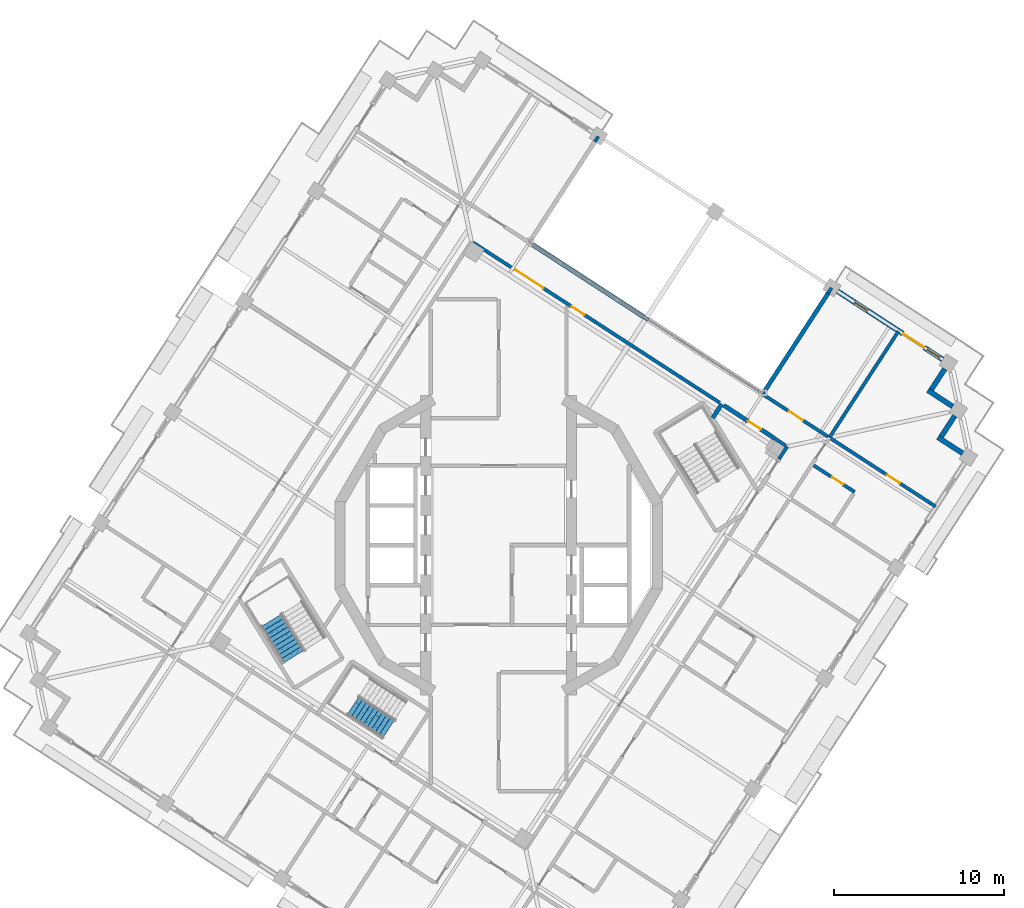
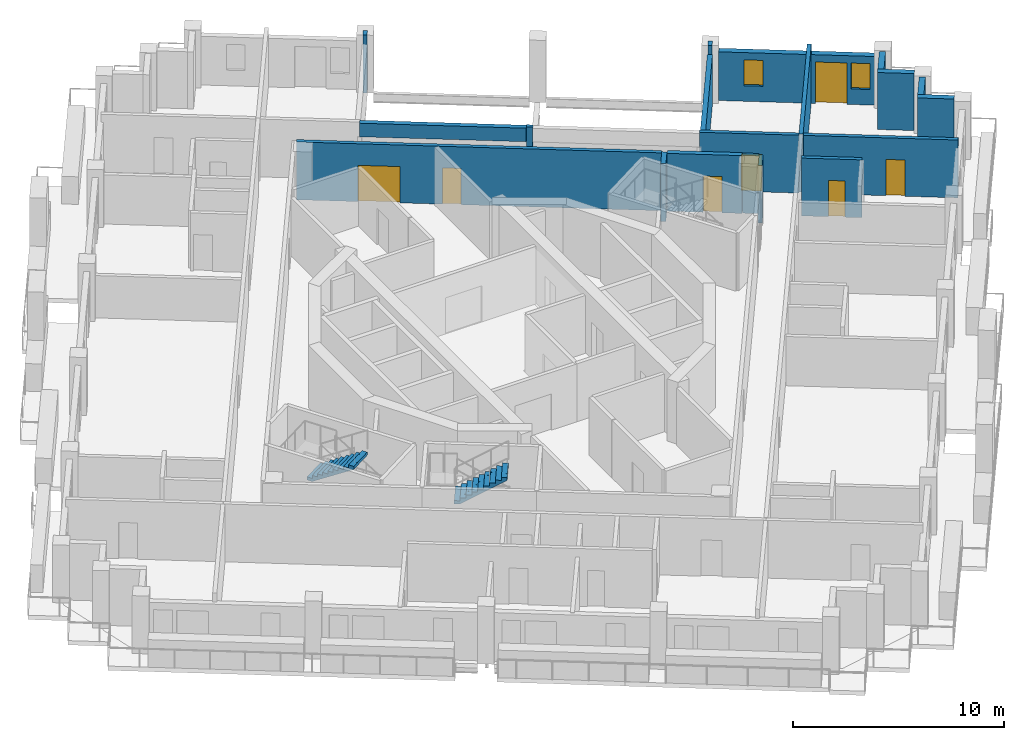
# One storey, part 11 of 17: 19 walls, 7 doors, 2 stair flights, 2 windows, 9 openings, 2 elements without a shape of their own.
"""IFC4 building model written with IfcOpenShell, lengths in metres."""

from ifc_helpers import new_model, si_unit, direction, frame, frame_2d, origin, place, context, subcontext, project, spatial, polyline, rectangle, outline, extrude, material, layer, layer_set, type_object, element, fill, aggregate, save


model = new_model("IFC4")

# Units and contexts
model_context = context("Model", 3, precision=1e-05, world=origin(), true_north=direction((0.0, 1.0)))
body_context = subcontext(model_context, "Body", "Model", "MODEL_VIEW")
ifc_project = project(units=[si_unit("LENGTHUNIT", "METRE"), si_unit("AREAUNIT", "SQUARE_METRE"), si_unit("VOLUMEUNIT", "CUBIC_METRE"), si_unit("PLANEANGLEUNIT", "RADIAN"), si_unit("MASSUNIT", "GRAM", prefix="KILO")], contexts=[model_context])

# Site, building, storey
site_placement = place(None, origin())
site = spatial("IfcSite", under=ifc_project, at=site_placement, CompositionType="ELEMENT")
building_placement = place(site_placement, origin())
building = spatial("IfcBuilding", under=site, at=building_placement, Name="Cantera Rosa Tower", CompositionType="ELEMENT")
storey_placement = place(building_placement, frame((0.0, 0.0, 275.699951171875)))
storey = spatial("IfcBuildingStorey", under=building, at=storey_placement, Name="L62", CompositionType="ELEMENT", Elevation=275.699951171875)

# Wall, openings, doors
ifc_material_1 = material(Name="Gypsum board partition")
ifc_layer_1 = layer(ifc_material_1, 0.199951171875)
ifc_layer_set_1 = layer_set([ifc_layer_1], Name="CORRIDOR WALL 200 H3350")
wall_type_1 = type_object("IfcWallType", Name="CORRIDOR WALL 200 H3350", PredefinedType="PARTITIONING", material=ifc_layer_set_1)
wall_1_placement = place(storey_placement, frame((13.04052734375, 8.4033203125, 0.0), z_axis=(0.0, 0.0, 1.0), x_axis=(-0.838668077111, 0.544642870545, 0.0)))
wall_1 = element("IfcWall", 1, at=wall_1_placement, inside=storey, type_object=wall_type_1, Name="CORRIDOR WALL L62-089", PredefinedType="PARTITIONING", context=body_context, shape_type="SweptSolid", body=[
    extrude(rectangle(XDim=17.340087890625, YDim=0.199951171875, at=frame_2d((8.669921875, 0.0))), origin(), (0.0, 0.0, 1.0), 3.35009765625),
])
opening_1_placement = place(wall_1_placement, frame((9.5107421875, 0.0, 0.0)))
opening_1 = element("IfcOpeningElement", 2, at=opening_1_placement, cuts=wall_1, Name="Opening L62-007", PredefinedType="OPENING", context=body_context, shape_type="SweptSolid", body=[
    extrude(rectangle(XDim=0.89990234375, YDim=2.10009765625, at=frame_2d((0.449951171875, 1.050048828125))), frame((0.0, 0.10986328125, 0.0), z_axis=(0.0, -1.0, 0.0), x_axis=(1.0, 0.0, 0.0)), (0.0, 0.0, 1.0), 0.219970703125),
])
opening_2_placement = place(wall_1_placement, frame((12.409912109375, 0.0, 0.0)))
opening_2 = element("IfcOpeningElement", 3, at=opening_2_placement, cuts=wall_1, Name="Opening L62-008", PredefinedType="OPENING", context=body_context, shape_type="SweptSolid", body=[
    extrude(rectangle(XDim=2.0, YDim=2.10009765625, at=frame_2d((1.0, 1.050048828125))), frame((0.0, 0.10986328125, 0.0), z_axis=(0.0, -1.0, 0.0), x_axis=(1.0, 0.0, 0.0)), (0.0, 0.0, 1.0), 0.219970703125),
])
ifc_material_2 = material(Name="Steel S355J2 (EN 10025-2)", Category="steel")
door_type_1 = type_object("IfcDoorType", Name="LOBBY SCREEN DOOR 2000x2100", OperationType="NOTDEFINED", PredefinedType="DOOR", material=ifc_material_2)
door_1_placement = place(opening_2_placement, origin())
door_1 = element("IfcDoor", 4, at=door_1_placement, inside=storey, type_object=door_type_1, Name="DOOR L62-008", OperationType="NOTDEFINED", OverallHeight=2.10009765625, OverallWidth=2.0, PredefinedType="DOOR", context=body_context, shape_type="SweptSolid", body=[
    extrude(rectangle(XDim=2.0, YDim=2.10009765625, at=frame_2d((1.0, 1.050048828125))), frame((0.0, 0.02490234375, 0.0), z_axis=(0.0, -1.0, 0.0), x_axis=(1.0, 0.0, 0.0)), (0.0, 0.0, 1.0), 0.050048828125),
])
fill(opening_2, door_1)
ifc_material_3 = material(Name="Timber door leaf", Category="wood")
door_type_2 = type_object("IfcDoorType", Name="SERVICE DOOR 900x2100", OperationType="NOTDEFINED", PredefinedType="DOOR", material=ifc_material_3)
door_2_placement = place(opening_1_placement, origin())
door_2 = element("IfcDoor", 5, at=door_2_placement, inside=storey, type_object=door_type_2, Name="DOOR L62-007", OperationType="NOTDEFINED", OverallHeight=2.10009765625, OverallWidth=0.89990234375, PredefinedType="DOOR", context=body_context, shape_type="SweptSolid", body=[
    extrude(rectangle(XDim=0.89990234375, YDim=2.10009765625, at=frame_2d((0.449951171875, 1.050048828125))), frame((0.0, 0.02490234375, 0.0), z_axis=(0.0, -1.0, 0.0), x_axis=(1.0, 0.0, 0.0)), (0.0, 0.0, 1.0), 0.050048828125),
])
fill(opening_1, door_2)

# Walls
wall_2_placement = place(storey_placement, frame((16.53662109375, 5.083740234375, 0.0), z_axis=(0.0, 0.0, 1.0), x_axis=(0.544607977269, 0.838690736264, 0.0)))
element("IfcWall", 6, at=wall_2_placement, inside=storey, type_object=wall_type_1, Name="CORRIDOR WALL L62-099", PredefinedType="PARTITIONING", context=body_context, shape_type="SweptSolid", body=[
    extrude(rectangle(XDim=0.8798828125, YDim=0.199951171875, at=frame_2d((0.43994140625, 0.0))), origin(), (0.0, 0.0, 1.0), 3.35009765625),
])
wall_3_placement = place(storey_placement, frame((16.931884765625, 5.876220703125, 0.0), z_axis=(0.0, 0.0, 1.0), x_axis=(-0.838636669764, 0.544691230082, 0.0)))
element("IfcWall", 7, at=wall_3_placement, inside=storey, type_object=wall_type_1, Name="CORRIDOR WALL L62-100", PredefinedType="PARTITIONING", context=body_context, shape_type="SweptSolid", body=[
    extrude(rectangle(XDim=0.77978515625, YDim=0.199951171875, at=frame_2d((0.389892578125, 0.0))), origin(), (0.0, 0.0, 1.0), 3.35009765625),
])

# Wall, opening, door
wall_4_placement = place(storey_placement, frame((19.422119140625, 6.405517578125, 0.0), z_axis=(0.0, 0.0, 1.0), x_axis=(-0.838698511903, 0.544596002677, 0.0)))
wall_4 = element("IfcWall", 8, at=wall_4_placement, inside=storey, type_object=wall_type_1, Name="CORRIDOR WALL L62-103", PredefinedType="PARTITIONING", context=body_context, shape_type="SweptSolid", body=[
    extrude(rectangle(XDim=4.72509765625, YDim=0.199951171875, at=frame_2d((2.362548828125, 0.0))), origin(), (0.0, 0.0, 1.0), 3.35009765625),
])
opening_3_placement = place(wall_4_placement, frame((1.75, 0.0, 0.0)))
opening_3 = element("IfcOpeningElement", 9, at=opening_3_placement, cuts=wall_4, Name="Opening L62-020", PredefinedType="OPENING", context=body_context, shape_type="SweptSolid", body=[
    extrude(rectangle(XDim=1.0, YDim=2.10009765625, at=frame_2d((0.5, 1.050048828125))), frame((0.0, 0.10986328125, 0.0), z_axis=(0.0, -1.0, 0.0), x_axis=(1.0, 0.0, 0.0)), (0.0, 0.0, 1.0), 0.219970703125),
])
ifc_material_4 = material(Name="Timber door leaf", Category="wood")
door_type_3 = type_object("IfcDoorType", Name="ROOM DOOR 1000x2100", OperationType="NOTDEFINED", PredefinedType="DOOR", material=ifc_material_4)
door_3_placement = place(opening_3_placement, origin())
door_3 = element("IfcDoor", 10, at=door_3_placement, inside=storey, type_object=door_type_3, Name="DOOR L62-020", OperationType="NOTDEFINED", OverallHeight=2.10009765625, OverallWidth=1.0, PredefinedType="DOOR", context=body_context, shape_type="SweptSolid", body=[
    extrude(rectangle(XDim=1.0, YDim=2.10009765625, at=frame_2d((0.5, 1.050048828125))), frame((0.0, 0.02490234375, 0.0), z_axis=(0.0, -1.0, 0.0), x_axis=(1.0, 0.0, 0.0)), (0.0, 0.0, 1.0), 0.050048828125),
])
fill(opening_3, door_3)

# Walls
wall_5_placement = place(storey_placement, frame((8.815673828125, 13.293212890625, 0.0), z_axis=(0.0, 0.0, 1.0), x_axis=(-0.838479965168, 0.54493242518, 0.0)))
element("IfcWall", 11, at=wall_5_placement, inside=storey, type_object=wall_type_1, Name="CORRIDOR WALL L62-104", PredefinedType="PARTITIONING", context=body_context, shape_type="SweptSolid", body=[
    extrude(rectangle(XDim=0.306884765625, YDim=0.199951171875, at=frame_2d((0.1533203125, 0.0))), origin(), (0.0, 0.0, 1.0), 3.35009765625),
])
ifc_material_5 = material(Name="Hollow clay masonry with cantera stone cladding", Category="masonry")
ifc_layer_2 = layer(ifc_material_5, 0.300048828125)
ifc_layer_set_2 = layer_set([ifc_layer_2], Name="EW-LOGGIA 300")
wall_type_2 = type_object("IfcWallType", Name="EW-LOGGIA 300", PredefinedType="SOLIDWALL", material=ifc_layer_set_2)
wall_6_placement = place(storey_placement, frame((27.36669921875, 5.41943359375, 0.0), z_axis=(0.0, 0.0, 1.0), x_axis=(-0.838685761837, 0.54461563776, 0.0)))
element("IfcWall", 12, at=wall_6_placement, inside=storey, type_object=wall_type_2, Name="EN-L62-W25a", PredefinedType="SOLIDWALL", context=body_context, shape_type="SweptSolid", body=[
    extrude(rectangle(XDim=1.75, YDim=0.300048828125, at=frame_2d((0.875, 0.0))), origin(), (0.0, 0.0, 1.0), 3.300048828125),
])
wall_7_placement = place(storey_placement, frame((26.1064453125, 6.41650390625, 0.0), z_axis=(0.0, 0.0, 1.0), x_axis=(0.54467465438, 0.838647435384, 0.0)))
element("IfcWall", 13, at=wall_7_placement, inside=storey, type_object=wall_type_2, Name="EN-L62-W25b", PredefinedType="SOLIDWALL", context=body_context, shape_type="SweptSolid", body=[
    extrude(rectangle(XDim=1.449951171875, YDim=0.300048828125, at=frame_2d((0.72509765625, 0.0))), origin(), (0.0, 0.0, 1.0), 3.300048828125),
])
wall_8_placement = place(storey_placement, frame((26.778564453125, 8.18603515625, 0.0), z_axis=(0.0, 0.0, 1.0), x_axis=(-0.838685761837, 0.54461563776, 0.0)))
element("IfcWall", 14, at=wall_8_placement, inside=storey, type_object=wall_type_2, Name="EN-L62-W26a", PredefinedType="SOLIDWALL", context=body_context, shape_type="SweptSolid", body=[
    extrude(rectangle(XDim=1.75, YDim=0.300048828125, at=frame_2d((0.875, 0.0))), origin(), (0.0, 0.0, 1.0), 3.300048828125),
])
wall_9_placement = place(storey_placement, frame((25.518310546875, 9.18310546875, 0.0), z_axis=(0.0, 0.0, 1.0), x_axis=(0.54467465438, 0.838647435384, 0.0)))
element("IfcWall", 15, at=wall_9_placement, inside=storey, type_object=wall_type_2, Name="EN-L62-W26b", PredefinedType="SOLIDWALL", context=body_context, shape_type="SweptSolid", body=[
    extrude(rectangle(XDim=1.449951171875, YDim=0.300048828125, at=frame_2d((0.72509765625, 0.0))), origin(), (0.0, 0.0, 1.0), 3.300048828125),
])

# Wall, openings, windows, door
ifc_material_6 = material(Name="Hollow clay masonry with cantera stone cladding", Category="masonry")
ifc_layer_3 = layer(ifc_material_6, 0.300048828125)
ifc_layer_set_3 = layer_set([ifc_layer_3], Name="EW-LOGGIA 300 H2820")
wall_type_3 = type_object("IfcWallType", Name="EW-LOGGIA 300 H2820", PredefinedType="SOLIDWALL", material=ifc_layer_set_3)
wall_10_placement = place(storey_placement, frame((26.1904296875, 10.95263671875, 0.0), z_axis=(0.0, 0.0, 1.0), x_axis=(-0.838669679097, 0.544640403719, 0.0)))
wall_10 = element("IfcWall", 16, at=wall_10_placement, inside=storey, type_object=wall_type_3, Name="EN-L62-W01", PredefinedType="SOLIDWALL", context=body_context, shape_type="SweptSolid", body=[
    extrude(rectangle(XDim=7.39990234375, YDim=0.300048828125, at=frame_2d((3.699951171875, 0.0))), origin(), (0.0, 0.0, 1.0), 2.820068359375),
])
opening_4_placement = place(wall_10_placement, frame((0.199951171875, 0.0, 0.89990234375)))
opening_4 = element("IfcOpeningElement", 17, at=opening_4_placement, cuts=wall_10, Name="Opening L62-W01", PredefinedType="OPENING", context=body_context, shape_type="SweptSolid", body=[
    extrude(rectangle(XDim=0.89990234375, YDim=1.5, at=frame_2d((0.449951171875, 0.75))), frame((0.0, 0.159912109375, 0.0), z_axis=(0.0, -1.0, 0.0), x_axis=(1.0, 0.0, 0.0)), (0.0, 0.0, 1.0), 0.320068359375),
])
opening_5_placement = place(wall_10_placement, frame((1.300048828125, 0.0, 0.0)))
opening_5 = element("IfcOpeningElement", 18, at=opening_5_placement, cuts=wall_10, Name="Opening L62-TD02", PredefinedType="OPENING", context=body_context, shape_type="SweptSolid", body=[
    extrude(rectangle(XDim=1.5, YDim=2.39990234375, at=frame_2d((0.75, 1.199951171875))), frame((0.0, 0.159912109375, 0.0), z_axis=(0.0, -1.0, 0.0), x_axis=(1.0, 0.0, 0.0)), (0.0, 0.0, 1.0), 0.320068359375),
])
opening_6_placement = place(wall_10_placement, frame((5.300048828125, 0.0, 0.89990234375)))
opening_6 = element("IfcOpeningElement", 19, at=opening_6_placement, cuts=wall_10, Name="Opening L62-W03", PredefinedType="OPENING", context=body_context, shape_type="SweptSolid", body=[
    extrude(rectangle(XDim=0.89990234375, YDim=1.5, at=frame_2d((0.449951171875, 0.75))), frame((0.0, 0.159912109375, 0.0), z_axis=(0.0, -1.0, 0.0), x_axis=(1.0, 0.0, 0.0)), (0.0, 0.0, 1.0), 0.320068359375),
])
ifc_material_7 = material(Name="Aluminium frame with clear glass", Category="aluminium")
window_type = type_object("IfcWindowType", Name="Residential window 900x1500", PartitioningType="SINGLE_PANEL", PredefinedType="WINDOW", material=ifc_material_7)
window_1_placement = place(opening_4_placement, origin())
window_1 = element("IfcWindow", 20, at=window_1_placement, inside=storey, type_object=window_type, Name="WINDOW L62-W01", OverallHeight=1.5, OverallWidth=0.89990234375, PartitioningType="SINGLE_PANEL", PredefinedType="WINDOW", context=body_context, shape_type="SweptSolid", body=[
    extrude(rectangle(XDim=0.89990234375, YDim=1.5, at=frame_2d((0.449951171875, 0.75))), frame((0.0, 0.030029296875, 0.0), z_axis=(0.0, -1.0, 0.0), x_axis=(1.0, 0.0, 0.0)), (0.0, 0.0, 1.0), 0.06005859375),
])
fill(opening_4, window_1)
window_2_placement = place(opening_6_placement, origin())
window_2 = element("IfcWindow", 21, at=window_2_placement, inside=storey, type_object=window_type, Name="WINDOW L62-W03", OverallHeight=1.5, OverallWidth=0.89990234375, PartitioningType="SINGLE_PANEL", PredefinedType="WINDOW", context=body_context, shape_type="SweptSolid", body=[
    extrude(rectangle(XDim=0.89990234375, YDim=1.5, at=frame_2d((0.449951171875, 0.75))), frame((0.0, 0.030029296875, 0.0), z_axis=(0.0, -1.0, 0.0), x_axis=(1.0, 0.0, 0.0)), (0.0, 0.0, 1.0), 0.06005859375),
])
fill(opening_6, window_2)
ifc_material_8 = material(Name="Aluminium frame with clear glass", Category="aluminium")
door_type_4 = type_object("IfcDoorType", Name="TD-R 1500x2400", OperationType="NOTDEFINED", PredefinedType="DOOR", material=ifc_material_8)
door_4_placement = place(opening_5_placement, origin())
door_4 = element("IfcDoor", 22, at=door_4_placement, inside=storey, type_object=door_type_4, Name="LOGGIA DOOR L62-TD02", OperationType="SLIDING_TO_LEFT", OverallHeight=2.39990234375, OverallWidth=1.5, PredefinedType="DOOR", context=body_context, shape_type="SweptSolid", body=[
    extrude(rectangle(XDim=1.5, YDim=2.39990234375, at=frame_2d((0.75, 1.199951171875))), frame((0.0, 0.02490234375, 0.0), z_axis=(0.0, -1.0, 0.0), x_axis=(1.0, 0.0, 0.0)), (0.0, 0.0, 1.0), 0.050048828125),
])
fill(opening_5, door_4)

# Walls
ifc_material_9 = material(Name="Concrete C40/50", Category="concrete")
ifc_layer_4 = layer(ifc_material_9, 0.25)
ifc_layer_set_4 = layer_set([ifc_layer_4], Name="EW-POCKET CHEEK 250 H2820")
wall_type_4 = type_object("IfcWallType", Name="EW-POCKET CHEEK 250 H2820", PredefinedType="SOLIDWALL", material=ifc_layer_set_4)
wall_11_placement = place(storey_placement, frame((19.430908203125, 14.865234375, 0.0), z_axis=(0.0, 0.0, 1.0), x_axis=(-0.544622966657, -0.83868100264, 0.0)))
element("IfcWall", 23, at=wall_11_placement, inside=storey, type_object=wall_type_4, Name="POCKET CHEEK A L62", PredefinedType="SOLIDWALL", context=body_context, shape_type="SweptSolid", body=[
    extrude(rectangle(XDim=6.999755859375, YDim=0.25, at=frame_2d((3.5, 0.0))), origin(), (0.0, 0.0, 1.0), 2.820068359375),
])
ifc_material_10 = material(Name="Hollow clay masonry with cantera stone cladding", Category="masonry")
ifc_layer_5 = layer(ifc_material_10, 0.25)
ifc_layer_set_5 = layer_set([ifc_layer_5], Name="EW-POCKET REAR 250")
wall_type_5 = type_object("IfcWallType", Name="EW-POCKET REAR 250", PredefinedType="SOLIDWALL", material=ifc_layer_set_5)
wall_12_placement = place(storey_placement, frame((8.558349609375, 13.46044921875, 2.51611328125), z_axis=(0.0, 0.0, 1.0), x_axis=(-0.838680132669, 0.54462430635, 0.0)))
element("IfcWall", 24, at=wall_12_placement, inside=storey, type_object=wall_type_5, Name="POCKET SPANDREL L62-2", PredefinedType="SOLIDWALL", context=body_context, shape_type="SweptSolid", body=[
    extrude(rectangle(XDim=7.92138671875, YDim=0.25, at=frame_2d((3.960693359375, 0.0))), origin(), (0.0, 0.0, 1.0), 0.783935546875),
])
ifc_material_11 = material(Name="Gypsum board partition")
ifc_layer_6 = layer(ifc_material_11, 0.199951171875)
ifc_layer_set_6 = layer_set([ifc_layer_6], Name="PARTITION 200 H3350")
wall_type_6 = type_object("IfcWallType", Name="PARTITION 200 H3350", PredefinedType="PARTITIONING", material=ifc_layer_set_6)
for number, where, z_axis, x_axis, name in (
    (25, (5.87841796875, 24.107666015625, 0.0), (0.0, 0.0, 1.0), (-0.544918783731, -0.838488830657, 0.0), "PARTITION L62-075"),
    (26, (19.430908203125, 14.865234375, 0.0), (0.0, 0.0, 1.0), (0.544918783731, 0.838488830657, 0.0), "PARTITION L62-095"),
):
    element("IfcWall", number, at=place(storey_placement, frame(where, z_axis=z_axis, x_axis=x_axis)), inside=storey, type_object=wall_type_6, Name=name, PredefinedType="PARTITIONING", context=body_context, shape_type="SweptSolid", body=[
        extrude(rectangle(XDim=0.3701171875, YDim=0.199951171875, at=frame_2d((0.18505859375, 0.0))), origin(), (0.0, 0.0, 1.0), 3.35009765625),
    ])

# Wall, opening, door
wall_13_placement = place(storey_placement, frame((18.58251953125, 4.708984375, 0.0), z_axis=(0.0, 0.0, 1.0), x_axis=(0.838654665308, -0.544663522147, 0.0)))
wall_13 = element("IfcWall", 27, at=wall_13_placement, inside=storey, type_object=wall_type_6, Name="PARTITION L62-102", PredefinedType="PARTITIONING", context=body_context, shape_type="SweptSolid", body=[
    extrude(rectangle(XDim=2.8798828125, YDim=0.199951171875, at=frame_2d((1.43994140625, 0.0))), origin(), (0.0, 0.0, 1.0), 3.35009765625),
])
opening_7_placement = place(wall_13_placement, frame((1.280029296875, 0.0, 0.0)))
opening_7 = element("IfcOpeningElement", 28, at=opening_7_placement, cuts=wall_13, Name="Opening L62-049", PredefinedType="OPENING", context=body_context, shape_type="SweptSolid", body=[
    extrude(rectangle(XDim=0.800048828125, YDim=2.10009765625, at=frame_2d((0.39990234375, 1.050048828125))), frame((0.0, 0.10986328125, 0.0), z_axis=(0.0, -1.0, 0.0), x_axis=(1.0, 0.0, 0.0)), (0.0, 0.0, 1.0), 0.219970703125),
])
ifc_material_12 = material(Name="Timber door leaf", Category="wood")
door_type_5 = type_object("IfcDoorType", Name="BATHROOM DOOR 800x2100", OperationType="NOTDEFINED", PredefinedType="DOOR", material=ifc_material_12)
door_5_placement = place(opening_7_placement, origin())
door_5 = element("IfcDoor", 29, at=door_5_placement, inside=storey, type_object=door_type_5, Name="DOOR L62-049", OperationType="NOTDEFINED", OverallHeight=2.10009765625, OverallWidth=0.800048828125, PredefinedType="DOOR", context=body_context, shape_type="SweptSolid", body=[
    extrude(rectangle(XDim=0.800048828125, YDim=2.10009765625, at=frame_2d((0.39990234375, 1.050048828125))), frame((0.0, 0.02490234375, 0.0), z_axis=(0.0, -1.0, 0.0), x_axis=(1.0, 0.0, 0.0)), (0.0, 0.0, 1.0), 0.050048828125),
])
fill(opening_7, door_5)

wall_14_placement = place(storey_placement, frame((25.770751953125, 2.282470703125, 0.0), z_axis=(0.0, 0.0, 1.0), x_axis=(-0.838668934217, 0.544641550729, 0.0)))
wall_14 = element("IfcWall", 30, at=wall_14_placement, inside=storey, type_object=wall_type_6, Name="PARTITION L62-108", PredefinedType="PARTITIONING", context=body_context, shape_type="SweptSolid", body=[
    extrude(rectangle(XDim=7.35009765625, YDim=0.199951171875, at=frame_2d((3.675048828125, 0.0))), origin(), (0.0, 0.0, 1.0), 3.35009765625),
])
opening_8_placement = place(wall_14_placement, frame((2.52001953125, 0.0, 0.0)))
opening_8 = element("IfcOpeningElement", 31, at=opening_8_placement, cuts=wall_14, Name="Opening L62-050", PredefinedType="OPENING", context=body_context, shape_type="SweptSolid", body=[
    extrude(rectangle(XDim=0.89990234375, YDim=2.10009765625, at=frame_2d((0.449951171875, 1.050048828125))), frame((0.0, 0.10986328125, 0.0), z_axis=(0.0, -1.0, 0.0), x_axis=(1.0, 0.0, 0.0)), (0.0, 0.0, 1.0), 0.219970703125),
])
ifc_material_13 = material(Name="Timber door leaf", Category="wood")
door_type_6 = type_object("IfcDoorType", Name="ROOM DOOR 900x2100", OperationType="NOTDEFINED", PredefinedType="DOOR", material=ifc_material_13)
door_6_placement = place(opening_8_placement, origin())
door_6 = element("IfcDoor", 32, at=door_6_placement, inside=storey, type_object=door_type_6, Name="DOOR L62-050", OperationType="NOTDEFINED", OverallHeight=2.10009765625, OverallWidth=0.89990234375, PredefinedType="DOOR", context=body_context, shape_type="SweptSolid", body=[
    extrude(rectangle(XDim=0.89990234375, YDim=2.10009765625, at=frame_2d((0.449951171875, 1.050048828125))), frame((0.0, 0.02490234375, 0.0), z_axis=(0.0, -1.0, 0.0), x_axis=(1.0, 0.0, 0.0)), (0.0, 0.0, 1.0), 0.050048828125),
])
fill(opening_8, door_6)

# Walls
ifc_material_14 = material(Name="Gypsum board partition")
ifc_layer_7 = layer(ifc_material_14, 0.199951171875)
ifc_layer_set_7 = layer_set([ifc_layer_7], Name="PARTY WALL 200 H3350")
wall_type_7 = type_object("IfcWallType", Name="PARTY WALL 200 H3350", PredefinedType="PARTITIONING", material=ifc_layer_set_7)
wall_15_placement = place(storey_placement, frame((23.57421875, 12.61572265625, 0.0), z_axis=(0.0, 0.0, 1.0), x_axis=(-0.544643659397, -0.838667564818, 0.0)))
element("IfcWall", 33, at=wall_15_placement, inside=storey, type_object=wall_type_7, Name="PARTY WALL L62-107", PredefinedType="PARTITIONING", context=body_context, shape_type="SweptSolid", body=[
    extrude(rectangle(XDim=7.4697265625, YDim=0.199951171875, at=frame_2d((3.73486328125, 0.0))), origin(), (0.0, 0.0, 1.0), 3.35009765625),
])
ifc_material_15 = material(Name="Masonry blockwork", Category="masonry")
ifc_layer_8 = layer(ifc_material_15, 0.25)
ifc_layer_set_8 = layer_set([ifc_layer_8], Name="SHAFT WALL 250 H3350")
wall_type_8 = type_object("IfcWallType", Name="SHAFT WALL 250 H3350", PredefinedType="SOLIDWALL", material=ifc_layer_set_8)
wall_16_placement = place(storey_placement, frame((12.62353515625, 7.50390625, 0.0), z_axis=(0.0, 0.0, 1.0), x_axis=(0.544612261158, 0.838687954484, 0.0)))
element("IfcWall", 34, at=wall_16_placement, inside=storey, type_object=wall_type_8, Name="SHAFT WALL L62-086", PredefinedType="SOLIDWALL", context=body_context, shape_type="SweptSolid", body=[
    extrude(rectangle(XDim=0.981201171875, YDim=0.25, at=frame_2d((0.49072265625, 0.0))), origin(), (0.0, 0.0, 1.0), 3.35009765625),
])

# Wall, opening, door
wall_17_placement = place(storey_placement, frame((16.260986328125, 6.31201171875, 0.0), z_axis=(0.0, 0.0, 1.0), x_axis=(-0.83868953423, 0.544609828385, 0.0)))
wall_17 = element("IfcWall", 35, at=wall_17_placement, inside=storey, type_object=wall_type_8, Name="SHAFT WALL L62-097", PredefinedType="SOLIDWALL", context=body_context, shape_type="SweptSolid", body=[
    extrude(rectangle(XDim=3.559814453125, YDim=0.25, at=frame_2d((1.77978515625, 0.0))), origin(), (0.0, 0.0, 1.0), 3.35009765625),
])
opening_9_placement = place(wall_17_placement, frame((0.949951171875, 0.0, 0.0)))
opening_9 = element("IfcOpeningElement", 36, at=opening_9_placement, cuts=wall_17, Name="Opening L62-051", PredefinedType="OPENING", context=body_context, shape_type="SweptSolid", body=[
    extrude(rectangle(XDim=0.89990234375, YDim=2.10009765625, at=frame_2d((0.449951171875, 1.050048828125))), frame((0.0, 0.135009765625, 0.0), z_axis=(0.0, -1.0, 0.0), x_axis=(1.0, 0.0, 0.0)), (0.0, 0.0, 1.0), 0.27001953125),
])
door_7_placement = place(opening_9_placement, origin())
door_7 = element("IfcDoor", 37, at=door_7_placement, inside=storey, type_object=door_type_2, Name="RISER DOOR L62-051", OperationType="NOTDEFINED", OverallHeight=2.10009765625, OverallWidth=0.89990234375, PredefinedType="DOOR", context=body_context, shape_type="SweptSolid", body=[
    extrude(rectangle(XDim=0.89990234375, YDim=2.10009765625, at=frame_2d((0.449951171875, 1.050048828125))), frame((0.0, 0.02490234375, 0.0), z_axis=(0.0, -1.0, 0.0), x_axis=(1.0, 0.0, 0.0)), (0.0, 0.0, 1.0), 0.050048828125),
])
fill(opening_9, door_7)

# Stair, stair flight
ifc_material_16 = material(Name="Concrete C35/45", Category="concrete")
stair_type_1 = type_object("IfcStairType", Name="EXIT STAIR 1200 DOGLEG", PredefinedType="HALF_TURN_STAIR", material=ifc_material_16)
stair_1_placement = place(storey_placement, origin())
stair_1 = element("IfcStair", 38, at=stair_1_placement, inside=storey, type_object=stair_type_1, Name="L62 ST-53", PredefinedType="HALF_TURN_STAIR")
ifc_material_17 = material(Name="Concrete C35/45", Category="concrete")
stair_flight_type_1 = type_object("IfcStairFlightType", Name="STAIR FLIGHT 1200 R20x180", PredefinedType="STRAIGHT", material=ifc_material_17)
stair_flight_1_placement = place(storey_placement, frame((-8.61181640625, -9.488037109375, 1.800048828125), z_axis=(0.0, 0.0, 1.0), x_axis=(0.838670567945, -0.544639035015, 0.0)))
stair_flight_1 = element("IfcStairFlight", 39, at=stair_flight_1_placement, type_object=stair_flight_type_1, Name="ST-53 flight 2", NumberOfRisers=10, NumberOfTreads=9, PredefinedType="STRAIGHT", RiserHeight=0.18, TreadLength=0.28, context=body_context, shape_type="SweptSolid", body=[
    extrude(outline(polyline([(0.0, 0.0), (0.0, 0.179931640625), (0.280029296875, 0.179931640625), (0.280029296875, 0.360107421875), (0.56005859375, 0.360107421875), (0.56005859375, 0.5400390625), (0.840087890625, 0.5400390625), (0.840087890625, 0.719970703125), (1.1201171875, 0.719970703125), (1.1201171875, 0.89990234375), (1.39990234375, 0.89990234375), (1.39990234375, 1.080078125), (1.679931640625, 1.080078125), (1.679931640625, 1.260009765625), (1.9599609375, 1.260009765625), (1.9599609375, 1.43994140625), (2.239990234375, 1.43994140625), (2.239990234375, 1.6201171875), (2.52001953125, 1.6201171875), (2.52001953125, 1.800048828125), (2.52001953125, 1.44189453125), (0.277099609375, 0.0), (0.0, 0.0)])), frame((0.0, 0.60009765625, 0.0), z_axis=(0.0, -1.0, 0.0), x_axis=(1.0, 0.0, 0.0)), (0.0, 0.0, 1.0), 0.298583984375),
    extrude(outline(polyline([(0.0, 0.0), (0.0, 0.179931640625), (0.280029296875, 0.179931640625), (0.280029296875, 0.360107421875), (0.56005859375, 0.360107421875), (0.56005859375, 0.5400390625), (0.840087890625, 0.5400390625), (0.840087890625, 0.719970703125), (1.1201171875, 0.719970703125), (1.1201171875, 0.89990234375), (1.39990234375, 0.89990234375), (1.39990234375, 1.080078125), (1.679931640625, 1.080078125), (1.679931640625, 1.260009765625), (1.9599609375, 1.260009765625), (1.9599609375, 1.43994140625), (2.239990234375, 1.43994140625), (2.239990234375, 1.6201171875), (2.52001953125, 1.6201171875), (2.52001953125, 1.800048828125), (2.52001953125, 1.44189453125), (0.277099609375, 0.0), (0.0, 0.0)])), frame((0.0, 0.29931640625, 0.0), z_axis=(0.0, -1.0, 0.0), x_axis=(1.0, 0.0, 0.0)), (0.0, 0.0, 1.0), 0.298583984375),
    extrude(outline(polyline([(0.0, 0.0), (0.0, 0.179931640625), (0.280029296875, 0.179931640625), (0.280029296875, 0.360107421875), (0.56005859375, 0.360107421875), (0.56005859375, 0.5400390625), (0.840087890625, 0.5400390625), (0.840087890625, 0.719970703125), (1.1201171875, 0.719970703125), (1.1201171875, 0.89990234375), (1.39990234375, 0.89990234375), (1.39990234375, 1.080078125), (1.679931640625, 1.080078125), (1.679931640625, 1.260009765625), (1.9599609375, 1.260009765625), (1.9599609375, 1.43994140625), (2.239990234375, 1.43994140625), (2.239990234375, 1.6201171875), (2.52001953125, 1.6201171875), (2.52001953125, 1.800048828125), (2.52001953125, 1.44189453125), (0.277099609375, 0.0), (0.0, 0.0)])), frame((0.0, -0.0009765625, 0.0), z_axis=(0.0, -1.0, 0.0), x_axis=(1.0, 0.0, 0.0)), (0.0, 0.0, 1.0), 0.298583984375),
    extrude(outline(polyline([(0.0, 0.0), (0.0, 0.179931640625), (0.280029296875, 0.179931640625), (0.280029296875, 0.360107421875), (0.56005859375, 0.360107421875), (0.56005859375, 0.5400390625), (0.840087890625, 0.5400390625), (0.840087890625, 0.719970703125), (1.1201171875, 0.719970703125), (1.1201171875, 0.89990234375), (1.39990234375, 0.89990234375), (1.39990234375, 1.080078125), (1.679931640625, 1.080078125), (1.679931640625, 1.260009765625), (1.9599609375, 1.260009765625), (1.9599609375, 1.43994140625), (2.239990234375, 1.43994140625), (2.239990234375, 1.6201171875), (2.52001953125, 1.6201171875), (2.52001953125, 1.800048828125), (2.52001953125, 1.44189453125), (0.277099609375, 0.0), (0.0, 0.0)])), frame((0.0, -0.3017578125, 0.0), z_axis=(0.0, -1.0, 0.0), x_axis=(1.0, 0.0, 0.0)), (0.0, 0.0, 1.0), 0.298583984375),
])
aggregate(stair_1, [stair_flight_1])

ifc_material_18 = material(Name="Concrete C35/45", Category="concrete")
stair_type_2 = type_object("IfcStairType", Name="EXIT STAIR 1350 DOGLEG", PredefinedType="HALF_TURN_STAIR", material=ifc_material_18)
stair_2_placement = place(storey_placement, origin())
stair_2 = element("IfcStair", 40, at=stair_2_placement, inside=storey, type_object=stair_type_2, Name="L62 ST-52", PredefinedType="HALF_TURN_STAIR")
ifc_material_19 = material(Name="Concrete C35/45", Category="concrete")
stair_flight_type_2 = type_object("IfcStairFlightType", Name="STAIR FLIGHT 1350 R20x180", PredefinedType="STRAIGHT", material=ifc_material_19)
stair_flight_2_placement = place(storey_placement, frame((-13.42626953125, -4.4404296875, 1.800048828125), z_axis=(0.0, 0.0, 1.0), x_axis=(0.524976585286, -0.851116669383, 0.0)))
stair_flight_2 = element("IfcStairFlight", 41, at=stair_flight_2_placement, type_object=stair_flight_type_2, Name="ST-52 flight 2", NumberOfRisers=10, NumberOfTreads=9, PredefinedType="STRAIGHT", RiserHeight=0.18, TreadLength=0.28, context=body_context, shape_type="SweptSolid", body=[
    extrude(outline(polyline([(0.0, 0.0), (0.0, 0.179931640625), (0.280029296875, 0.179931640625), (0.280029296875, 0.360107421875), (0.56005859375, 0.360107421875), (0.56005859375, 0.5400390625), (0.840087890625, 0.5400390625), (0.840087890625, 0.719970703125), (1.1201171875, 0.719970703125), (1.1201171875, 0.89990234375), (1.39990234375, 0.89990234375), (1.39990234375, 1.080078125), (1.679931640625, 1.080078125), (1.679931640625, 1.260009765625), (1.9599609375, 1.260009765625), (1.9599609375, 1.43994140625), (2.239990234375, 1.43994140625), (2.239990234375, 1.6201171875), (2.52001953125, 1.6201171875), (2.52001953125, 1.800048828125), (2.52001953125, 1.44189453125), (0.277099609375, 0.0), (0.0, 0.0)])), frame((0.0, 0.675048828125, 0.0), z_axis=(0.0, -1.0, 0.0), x_axis=(1.0, 0.0, 0.0)), (0.0, 0.0, 1.0), 0.3359375),
    extrude(outline(polyline([(0.0, 0.0), (0.0, 0.179931640625), (0.280029296875, 0.179931640625), (0.280029296875, 0.360107421875), (0.56005859375, 0.360107421875), (0.56005859375, 0.5400390625), (0.840087890625, 0.5400390625), (0.840087890625, 0.719970703125), (1.1201171875, 0.719970703125), (1.1201171875, 0.89990234375), (1.39990234375, 0.89990234375), (1.39990234375, 1.080078125), (1.679931640625, 1.080078125), (1.679931640625, 1.260009765625), (1.9599609375, 1.260009765625), (1.9599609375, 1.43994140625), (2.239990234375, 1.43994140625), (2.239990234375, 1.6201171875), (2.52001953125, 1.6201171875), (2.52001953125, 1.800048828125), (2.52001953125, 1.44189453125), (0.277099609375, 0.0), (0.0, 0.0)])), frame((0.0, 0.337158203125, 0.0), z_axis=(0.0, -1.0, 0.0), x_axis=(1.0, 0.0, 0.0)), (0.0, 0.0, 1.0), 0.3359375),
    extrude(outline(polyline([(0.0, 0.0), (0.0, 0.179931640625), (0.280029296875, 0.179931640625), (0.280029296875, 0.360107421875), (0.56005859375, 0.360107421875), (0.56005859375, 0.5400390625), (0.840087890625, 0.5400390625), (0.840087890625, 0.719970703125), (1.1201171875, 0.719970703125), (1.1201171875, 0.89990234375), (1.39990234375, 0.89990234375), (1.39990234375, 1.080078125), (1.679931640625, 1.080078125), (1.679931640625, 1.260009765625), (1.9599609375, 1.260009765625), (1.9599609375, 1.43994140625), (2.239990234375, 1.43994140625), (2.239990234375, 1.6201171875), (2.52001953125, 1.6201171875), (2.52001953125, 1.800048828125), (2.52001953125, 1.44189453125), (0.277099609375, 0.0), (0.0, 0.0)])), frame((0.0, -0.000732421875, 0.0), z_axis=(0.0, -1.0, 0.0), x_axis=(1.0, 0.0, 0.0)), (0.0, 0.0, 1.0), 0.3359375),
    extrude(outline(polyline([(0.0, 0.0), (0.0, 0.179931640625), (0.280029296875, 0.179931640625), (0.280029296875, 0.360107421875), (0.56005859375, 0.360107421875), (0.56005859375, 0.5400390625), (0.840087890625, 0.5400390625), (0.840087890625, 0.719970703125), (1.1201171875, 0.719970703125), (1.1201171875, 0.89990234375), (1.39990234375, 0.89990234375), (1.39990234375, 1.080078125), (1.679931640625, 1.080078125), (1.679931640625, 1.260009765625), (1.9599609375, 1.260009765625), (1.9599609375, 1.43994140625), (2.239990234375, 1.43994140625), (2.239990234375, 1.6201171875), (2.52001953125, 1.6201171875), (2.52001953125, 1.800048828125), (2.52001953125, 1.44189453125), (0.277099609375, 0.0), (0.0, 0.0)])), frame((0.0, -0.338623046875, 0.0), z_axis=(0.0, -1.0, 0.0), x_axis=(1.0, 0.0, 0.0)), (0.0, 0.0, 1.0), 0.3359375),
])
aggregate(stair_2, [stair_flight_2])

save(model, "model.ifc")
